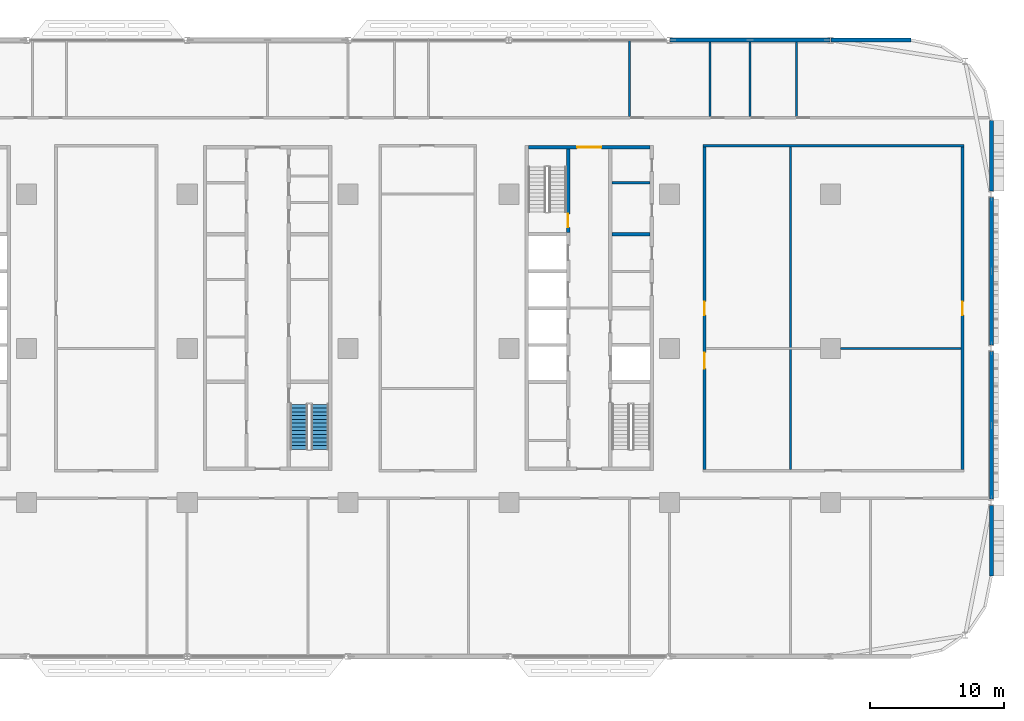
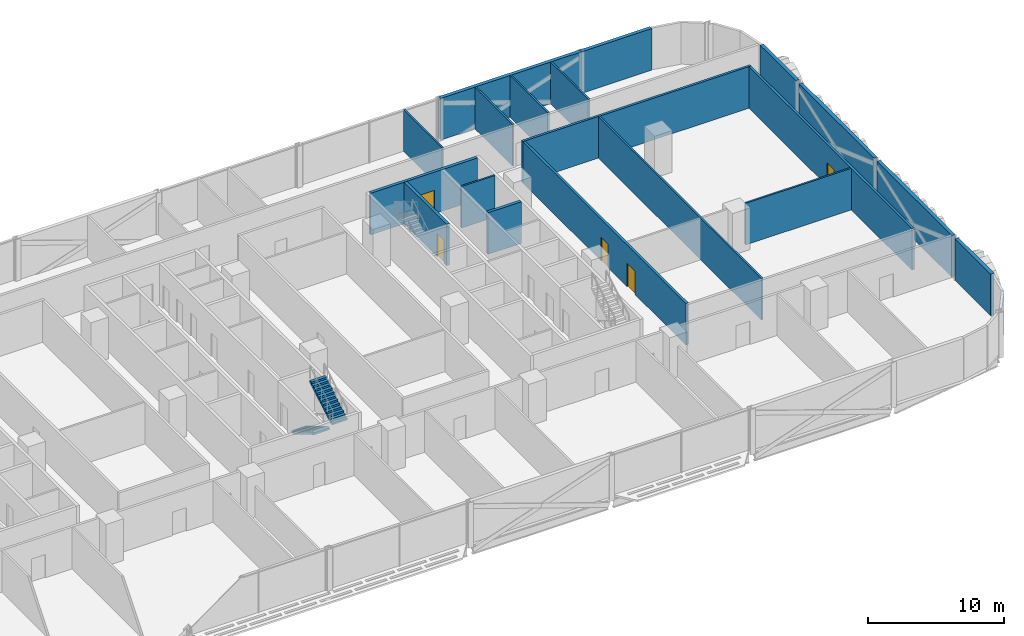
# One storey, part 17 of 29: 19 walls, 5 doors, 2 stair flights, 5 openings, 1 element without a shape of its own.
"""IFC4 building model written with IfcOpenShell, lengths in metres."""

from ifc_helpers import new_model, si_unit, direction, frame, frame_2d, origin, place, context, subcontext, project, spatial, polyline, rectangle, outline, extrude, material, layer, layer_set, type_object, element, fill, aggregate, save


model = new_model("IFC4")

# Units and contexts
model_context = context("Model", 3, precision=1e-05, world=origin(), true_north=direction((0.0, 1.0)))
body_context = subcontext(model_context, "Body", "Model", "MODEL_VIEW")
ifc_project = project(units=[si_unit("LENGTHUNIT", "METRE"), si_unit("AREAUNIT", "SQUARE_METRE"), si_unit("VOLUMEUNIT", "CUBIC_METRE"), si_unit("PLANEANGLEUNIT", "RADIAN"), si_unit("MASSUNIT", "GRAM", prefix="KILO")], contexts=[model_context])

# Site, building, storey
site_placement = place(None, origin())
site = spatial("IfcSite", under=ifc_project, at=site_placement, CompositionType="ELEMENT")
building_placement = place(site_placement, origin())
building = spatial("IfcBuilding", under=site, at=building_placement, Name="Mahtab Terrace Research Tower", CompositionType="ELEMENT")
storey_placement = place(building_placement, frame((0.0, 0.0, 76.10009765625)))
storey = spatial("IfcBuildingStorey", under=building, at=storey_placement, Name="L17", CompositionType="ELEMENT", Elevation=76.10009765625)

# Wall
ifc_material_1 = material(Name="Gypsum board partition")
ifc_layer_1 = layer(ifc_material_1, 0.14990234375)
ifc_layer_set_1 = layer_set([ifc_layer_1], Name="Core partition 150")
wall_type_1 = type_object("IfcWallType", Name="Core partition 150", PredefinedType="PARTITIONING", material=ifc_layer_set_1)
wall_1_placement = place(storey_placement, frame((25.699951171875, 12.35498046875, 0.0), z_axis=(0.0, 0.0, 1.0), x_axis=(1.0, 0.0, 0.0)))
element("IfcWall", 1, at=wall_1_placement, inside=storey, type_object=wall_type_1, Name="Core wall C pEN936", PredefinedType="PARTITIONING", context=body_context, shape_type="SweptSolid", body=[
    extrude(rectangle(XDim=2.85009765625, YDim=0.14990234375, at=frame_2d((1.425048828125, 0.0))), origin(), (0.0, 0.0, 1.0), 3.75),
])

# Wall, opening, door
ifc_material_2 = material(Name="Concrete C70/85", Category="concrete")
ifc_layer_2 = layer(ifc_material_2, 0.25)
ifc_layer_set_2 = layer_set([ifc_layer_2], Name="Core wall 250")
wall_type_2 = type_object("IfcWallType", Name="Core wall 250", PredefinedType="SOLIDWALL", material=ifc_layer_set_2)
wall_2_placement = place(storey_placement, frame((19.449951171875, 15.0, 0.0), z_axis=(0.0, 0.0, 1.0), x_axis=(1.0, 0.0, 0.0)))
wall_2 = element("IfcWall", 2, at=wall_2_placement, inside=storey, type_object=wall_type_2, Name="Core wall C endN", PredefinedType="SOLIDWALL", context=body_context, shape_type="SweptSolid", body=[
    extrude(rectangle(XDim=9.10009765625, YDim=0.25, at=frame_2d((4.550048828125, 0.0))), origin(), (0.0, 0.0, 1.0), 3.75),
])
opening_1_placement = place(wall_2_placement, frame((3.64990234375, 0.0, 0.0)))
opening_1 = element("IfcOpeningElement", 3, at=opening_1_placement, cuts=wall_2, Name="Opening C-N1", PredefinedType="OPENING", context=body_context, shape_type="SweptSolid", body=[
    extrude(rectangle(XDim=1.800048828125, YDim=2.10009765625, at=frame_2d((0.89990234375, 1.050048828125))), frame((0.0, 0.135009765625, 0.0), z_axis=(0.0, -1.0, 0.0), x_axis=(1.0, 0.0, 0.0)), (0.0, 0.0, 1.0), 0.27001953125),
])
ifc_material_3 = material(Name="Steel fire door", Category="steel")
door_type_1 = type_object("IfcDoorType", Name="Lobby double door 1800x2100 1 HR", OperationType="DOUBLE_DOOR_SINGLE_SWING", PredefinedType="DOOR", material=ifc_material_3)
door_1_placement = place(opening_1_placement, origin())
door_1 = element("IfcDoor", 4, at=door_1_placement, inside=storey, type_object=door_type_1, Name="Core entrance door C N", OperationType="DOUBLE_DOOR_SINGLE_SWING", OverallHeight=2.10009765625, OverallWidth=1.800048828125, PredefinedType="DOOR", context=body_context, shape_type="SweptSolid", body=[
    extrude(rectangle(XDim=1.800048828125, YDim=2.10009765625, at=frame_2d((0.89990234375, 1.050048828125))), frame((0.0, 0.02490234375, 0.0), z_axis=(0.0, -1.0, 0.0), x_axis=(1.0, 0.0, 0.0)), (0.0, 0.0, 1.0), 0.050048828125),
])
fill(opening_1, door_1)

wall_3_placement = place(storey_placement, frame((22.425048828125, 14.875, 0.0), z_axis=(0.0, 0.0, 1.0), x_axis=(0.0, -1.0, 0.0)))
wall_3 = element("IfcWall", 5, at=wall_3_placement, inside=storey, type_object=wall_type_2, Name="Core wall C innerWN", PredefinedType="SOLIDWALL", context=body_context, shape_type="SweptSolid", body=[
    extrude(rectangle(XDim=6.25, YDim=0.25, at=frame_2d((3.125, 0.0))), origin(), (0.0, 0.0, 1.0), 3.75),
])
opening_2_placement = place(wall_3_placement, frame((4.85009765625, 0.0, 0.0)))
opening_2 = element("IfcOpeningElement", 6, at=opening_2_placement, cuts=wall_3, Name="Opening C-ST3", PredefinedType="OPENING", context=body_context, shape_type="SweptSolid", body=[
    extrude(rectangle(XDim=1.0, YDim=2.10009765625, at=frame_2d((0.5, 1.050048828125))), frame((0.0, 0.135009765625, 0.0), z_axis=(0.0, -1.0, 0.0), x_axis=(1.0, 0.0, 0.0)), (0.0, 0.0, 1.0), 0.27001953125),
])
door_type_2 = type_object("IfcDoorType", Name="Stair door 1000x2100 1.5 HR", OperationType="NOTDEFINED", PredefinedType="DOOR", material=ifc_material_3)
door_2_placement = place(opening_2_placement, origin())
door_2 = element("IfcDoor", 7, at=door_2_placement, inside=storey, type_object=door_type_2, Name="Stair door ST3 L17", OperationType="SINGLE_SWING_RIGHT", OverallHeight=2.10009765625, OverallWidth=1.0, PredefinedType="DOOR", context=body_context, shape_type="SweptSolid", body=[
    extrude(rectangle(XDim=1.0, YDim=2.10009765625, at=frame_2d((0.5, 1.050048828125))), frame((0.0, 0.02490234375, 0.0), z_axis=(0.0, -1.0, 0.0), x_axis=(1.0, 0.0, 0.0)), (0.0, 0.0, 1.0), 0.050048828125),
])
fill(opening_2, door_2)

# Walls
wall_4_placement = place(storey_placement, frame((25.699951171875, 8.5, 0.0), z_axis=(0.0, 0.0, 1.0), x_axis=(1.0, 0.0, 0.0)))
element("IfcWall", 8, at=wall_4_placement, inside=storey, type_object=wall_type_2, Name="Core wall C divE4", PredefinedType="SOLIDWALL", context=body_context, shape_type="SweptSolid", body=[
    extrude(rectangle(XDim=2.85009765625, YDim=0.25, at=frame_2d((1.425048828125, 0.0))), origin(), (0.0, 0.0, 1.0), 3.75),
])
ifc_material_4 = material(Name="Black aluminium cladding panel", Category="aluminium")
ifc_layer_3 = layer(ifc_material_4, 0.300048828125)
ifc_layer_set_3 = layer_set([ifc_layer_3], Name="Opaque facade wall 300")
wall_type_3 = type_object("IfcWallType", Name="Opaque facade wall 300", PredefinedType="NOTDEFINED", material=ifc_layer_set_3)
wall_5_placement = place(storey_placement, frame((48.0, 23.0, 0.0), z_axis=(0.0, 0.0, 1.0), x_axis=(-1.0, 0.0, 0.0)))
element("IfcWall", 9, at=wall_5_placement, inside=storey, type_object=wall_type_3, Name="Opaque facade wall L17 N3", PredefinedType="NOTDEFINED", context=body_context, shape_type="SweptSolid", body=[
    extrude(rectangle(XDim=5.97607421875, YDim=0.300048828125, at=frame_2d((2.988037109375, 0.0))), origin(), (0.0, 0.0, 1.0), 3.75),
])
wall_6_placement = place(storey_placement, frame((41.97607421875, 23.0, 0.0), z_axis=(0.0, 0.0, 1.0), x_axis=(-1.0, 0.0, 0.0)))
element("IfcWall", 10, at=wall_6_placement, inside=storey, type_object=wall_type_3, Name="Opaque facade wall L17 N4", PredefinedType="NOTDEFINED", context=body_context, shape_type="SweptSolid", body=[
    extrude(rectangle(XDim=11.9521484375, YDim=0.300048828125, at=frame_2d((5.97607421875, 0.0))), origin(), (0.0, 0.0, 1.0), 3.75),
])
wall_7_placement = place(storey_placement, frame((54.0, -17.0, 0.0), z_axis=(0.0, 0.0, 1.0), x_axis=(0.0, 1.0, 0.0)))
element("IfcWall", 11, at=wall_7_placement, inside=storey, type_object=wall_type_3, Name="Opaque facade wall L17 E35", PredefinedType="NOTDEFINED", context=body_context, shape_type="SweptSolid", body=[
    extrude(rectangle(XDim=5.261962890625, YDim=0.300048828125, at=frame_2d((2.630859375, 0.0))), origin(), (0.0, 0.0, 1.0), 3.75),
])
for number, where, z_axis, x_axis, name in (
    (12, (54.0, -11.261962890625, 0.0), (0.0, 0.0, 1.0), (0.0, 1.0, 0.0), "Opaque facade wall L17 E36"),
    (13, (54.0, 0.238037109375, 0.0), (0.0, 0.0, 1.0), (0.0, 1.0, 0.0), "Opaque facade wall L17 E37"),
):
    element("IfcWall", number, at=place(storey_placement, frame(where, z_axis=z_axis, x_axis=x_axis)), inside=storey, type_object=wall_type_3, Name=name, PredefinedType="NOTDEFINED", context=body_context, shape_type="SweptSolid", body=[
        extrude(rectangle(XDim=11.02392578125, YDim=0.300048828125, at=frame_2d((5.511962890625, 0.0))), origin(), (0.0, 0.0, 1.0), 3.75),
    ])
wall_8_placement = place(storey_placement, frame((54.0, 11.738037109375, 0.0), z_axis=(0.0, 0.0, 1.0), x_axis=(0.0, 1.0, 0.0)))
element("IfcWall", 14, at=wall_8_placement, inside=storey, type_object=wall_type_3, Name="Opaque facade wall L17 E38", PredefinedType="NOTDEFINED", context=body_context, shape_type="SweptSolid", body=[
    extrude(rectangle(XDim=5.261962890625, YDim=0.300048828125, at=frame_2d((2.630859375, 0.0))), origin(), (0.0, 0.0, 1.0), 3.75),
])
ifc_material_5 = material(Name="Gypsum board corridor wall on steel studs", Category="steel")
ifc_layer_4 = layer(ifc_material_5, 0.199951171875)
ifc_layer_set_4 = layer_set([ifc_layer_4], Name="WALL CORRIDOR 200")
wall_type_4 = type_object("IfcWallType", Name="WALL CORRIDOR 200", PredefinedType="PARTITIONING", material=ifc_layer_set_4)
wall_9_placement = place(storey_placement, frame((32.5, 15.125, 0.0), z_axis=(0.0, 0.0, 1.0), x_axis=(1.0, 0.0, 0.0)))
element("IfcWall", 15, at=wall_9_placement, inside=storey, type_object=wall_type_4, Name="L17-W023", PredefinedType="PARTITIONING", context=body_context, shape_type="SweptSolid", body=[
    extrude(rectangle(XDim=19.449951171875, YDim=0.199951171875, at=frame_2d((9.72509765625, 0.0))), origin(), (0.0, 0.0, 1.0), 3.75),
])

# Wall, openings, doors
wall_10_placement = place(storey_placement, frame((32.60009765625, -9.02490234375, 0.0), z_axis=(0.0, 0.0, 1.0), x_axis=(0.0, 1.0, 0.0)))
wall_10 = element("IfcWall", 16, at=wall_10_placement, inside=storey, type_object=wall_type_4, Name="L17-W050", PredefinedType="PARTITIONING", context=body_context, shape_type="SweptSolid", body=[
    extrude(rectangle(XDim=24.0498046875, YDim=0.199951171875, at=frame_2d((12.02490234375, 0.0))), origin(), (0.0, 0.0, 1.0), 3.75),
])
opening_3_placement = place(wall_10_placement, frame((7.5, 0.0, 0.0)))
opening_3 = element("IfcOpeningElement", 17, at=opening_3_placement, cuts=wall_10, Name="Opening L17-117", PredefinedType="OPENING", context=body_context, shape_type="SweptSolid", body=[
    extrude(rectangle(XDim=1.199951171875, YDim=2.10009765625, at=frame_2d((0.60009765625, 1.050048828125))), frame((0.0, 0.10986328125, 0.0), z_axis=(0.0, -1.0, 0.0), x_axis=(1.0, 0.0, 0.0)), (0.0, 0.0, 1.0), 0.219970703125),
])
opening_4_placement = place(wall_10_placement, frame((11.5, 0.0, 0.0)))
opening_4 = element("IfcOpeningElement", 18, at=opening_4_placement, cuts=wall_10, Name="Opening L17-122", PredefinedType="OPENING", context=body_context, shape_type="SweptSolid", body=[
    extrude(rectangle(XDim=1.0, YDim=2.10009765625, at=frame_2d((0.5, 1.050048828125))), frame((0.0, 0.10986328125, 0.0), z_axis=(0.0, -1.0, 0.0), x_axis=(1.0, 0.0, 0.0)), (0.0, 0.0, 1.0), 0.219970703125),
])
ifc_material_6 = material(Name="Timber door leaf in steel frame", Category="steel")
door_type_3 = type_object("IfcDoorType", Name="DOOR 1000X2100 FD30S", OperationType="SINGLE_SWING_LEFT", PredefinedType="DOOR", material=ifc_material_6)
door_3_placement = place(opening_4_placement, origin())
door_3 = element("IfcDoor", 19, at=door_3_placement, inside=storey, type_object=door_type_3, Name="Door L17-122", OperationType="SINGLE_SWING_RIGHT", OverallHeight=2.10009765625, OverallWidth=1.0, PredefinedType="DOOR", context=body_context, shape_type="SweptSolid", body=[
    extrude(rectangle(XDim=1.0, YDim=2.10009765625, at=frame_2d((0.5, 1.050048828125))), frame((0.0, 0.02490234375, 0.0), z_axis=(0.0, -1.0, 0.0), x_axis=(1.0, 0.0, 0.0)), (0.0, 0.0, 1.0), 0.050048828125),
])
fill(opening_4, door_3)
door_type_4 = type_object("IfcDoorType", Name="DOOR 1200X2100 FD30S", OperationType="SINGLE_SWING_LEFT", PredefinedType="DOOR", material=ifc_material_6)
door_4_placement = place(opening_3_placement, origin())
door_4 = element("IfcDoor", 20, at=door_4_placement, inside=storey, type_object=door_type_4, Name="Door L17-117", OperationType="SINGLE_SWING_RIGHT", OverallHeight=2.10009765625, OverallWidth=1.199951171875, PredefinedType="DOOR", context=body_context, shape_type="SweptSolid", body=[
    extrude(rectangle(XDim=1.199951171875, YDim=2.10009765625, at=frame_2d((0.60009765625, 1.050048828125))), frame((0.0, 0.02490234375, 0.0), z_axis=(0.0, -1.0, 0.0), x_axis=(1.0, 0.0, 0.0)), (0.0, 0.0, 1.0), 0.050048828125),
])
fill(opening_3, door_4)

# Wall, opening, door
wall_11_placement = place(storey_placement, frame((51.85009765625, -9.02490234375, 0.0), z_axis=(0.0, 0.0, 1.0), x_axis=(0.0, 1.0, 0.0)))
wall_11 = element("IfcWall", 21, at=wall_11_placement, inside=storey, type_object=wall_type_4, Name="L17-W057", PredefinedType="PARTITIONING", context=body_context, shape_type="SweptSolid", body=[
    extrude(rectangle(XDim=24.0498046875, YDim=0.199951171875, at=frame_2d((12.02490234375, 0.0))), origin(), (0.0, 0.0, 1.0), 3.75),
])
opening_5_placement = place(wall_11_placement, frame((11.5, 0.0, 0.0)))
opening_5 = element("IfcOpeningElement", 22, at=opening_5_placement, cuts=wall_11, Name="Opening L17-123", PredefinedType="OPENING", context=body_context, shape_type="SweptSolid", body=[
    extrude(rectangle(XDim=1.0, YDim=2.10009765625, at=frame_2d((0.5, 1.050048828125))), frame((0.0, 0.10986328125, 0.0), z_axis=(0.0, -1.0, 0.0), x_axis=(1.0, 0.0, 0.0)), (0.0, 0.0, 1.0), 0.219970703125),
])
door_5_placement = place(opening_5_placement, origin())
door_5 = element("IfcDoor", 23, at=door_5_placement, inside=storey, type_object=door_type_3, Name="Door L17-123", OperationType="SINGLE_SWING_LEFT", OverallHeight=2.10009765625, OverallWidth=1.0, PredefinedType="DOOR", context=body_context, shape_type="SweptSolid", body=[
    extrude(rectangle(XDim=1.0, YDim=2.10009765625, at=frame_2d((0.5, 1.050048828125))), frame((0.0, 0.02490234375, 0.0), z_axis=(0.0, -1.0, 0.0), x_axis=(1.0, 0.0, 0.0)), (0.0, 0.0, 1.0), 0.050048828125),
])
fill(opening_5, door_5)

# Walls
ifc_material_7 = material(Name="Gypsum board partition on steel studs", Category="steel")
ifc_layer_5 = layer(ifc_material_7, 0.14990234375)
ifc_layer_set_5 = layer_set([ifc_layer_5], Name="WALL PARTITION 150")
wall_type_5 = type_object("IfcWallType", Name="WALL PARTITION 150", PredefinedType="PARTITIONING", material=ifc_layer_set_5)
wall_12_placement = place(storey_placement, frame((42.75, 0.0, 0.0), z_axis=(0.0, 0.0, 1.0), x_axis=(1.0, 0.0, 0.0)))
element("IfcWall", 24, at=wall_12_placement, inside=storey, type_object=wall_type_5, Name="L17-W017", PredefinedType="PARTITIONING", context=body_context, shape_type="SweptSolid", body=[
    extrude(rectangle(XDim=9.0, YDim=0.14990234375, at=frame_2d((4.5, 0.0))), origin(), (0.0, 0.0, 1.0), 3.75),
])
wall_13_placement = place(storey_placement, frame((27.0, 17.300048828125, 0.0), z_axis=(0.0, 0.0, 1.0), x_axis=(0.0, 1.0, 0.0)))
element("IfcWall", 25, at=wall_13_placement, inside=storey, type_object=wall_type_5, Name="L17-W048", PredefinedType="PARTITIONING", context=body_context, shape_type="SweptSolid", body=[
    extrude(rectangle(XDim=5.675048828125, YDim=0.14990234375, at=frame_2d((2.83740234375, 0.0))), origin(), (0.0, 0.0, 1.0), 3.75),
])
for number, where, z_axis, x_axis, name in (
    (26, (33.0, 17.300048828125, 0.0), (0.0, 0.0, 1.0), (0.0, 1.0, 0.0), "L17-W051"),
    (27, (36.0, 17.300048828125, 0.0), (0.0, 0.0, 1.0), (0.0, 1.0, 0.0), "L17-W052"),
):
    element("IfcWall", number, at=place(storey_placement, frame(where, z_axis=z_axis, x_axis=x_axis)), inside=storey, type_object=wall_type_5, Name=name, PredefinedType="PARTITIONING", context=body_context, shape_type="SweptSolid", body=[
        extrude(rectangle(XDim=5.550048828125, YDim=0.14990234375, at=frame_2d((2.77490234375, 0.0))), origin(), (0.0, 0.0, 1.0), 3.75),
    ])
wall_14_placement = place(storey_placement, frame((39.0, -9.02490234375, 0.0), z_axis=(0.0, 0.0, 1.0), x_axis=(0.0, 1.0, 0.0)))
element("IfcWall", 28, at=wall_14_placement, inside=storey, type_object=wall_type_5, Name="L17-W054", PredefinedType="PARTITIONING", context=body_context, shape_type="SweptSolid", body=[
    extrude(rectangle(XDim=24.0498046875, YDim=0.14990234375, at=frame_2d((12.02490234375, 0.0))), origin(), (0.0, 0.0, 1.0), 3.75),
])
wall_15_placement = place(storey_placement, frame((39.449951171875, 17.300048828125, 0.0), z_axis=(0.0, 0.0, 1.0), x_axis=(0.0, 1.0, 0.0)))
element("IfcWall", 29, at=wall_15_placement, inside=storey, type_object=wall_type_5, Name="L17-W055", PredefinedType="PARTITIONING", context=body_context, shape_type="SweptSolid", body=[
    extrude(rectangle(XDim=5.550048828125, YDim=0.14990234375, at=frame_2d((2.77490234375, 0.0))), origin(), (0.0, 0.0, 1.0), 3.75),
])

# Stair, stair flights
ifc_material_8 = material(Name="Exit stair half-turn")
stair_type = type_object("IfcStairType", Name="Exit stair half-turn", PredefinedType="HALF_TURN_STAIR", material=ifc_material_8)
stair_placement = place(storey_placement, origin())
stair = element("IfcStair", 30, at=stair_placement, inside=storey, type_object=stair_type, Name="L17 Protected exit stair ST2", PredefinedType="HALF_TURN_STAIR")
ifc_material_9 = material(Name="Concrete C40/50", Category="concrete")
stair_flight_type = type_object("IfcStairFlightType", Name="Exit stair flight 1300", PredefinedType="STRAIGHT", material=ifc_material_9)
stair_flight_1_placement = place(storey_placement, frame((2.35009765625, -4.175048828125, 0.0), z_axis=(0.0, 0.0, 1.0), x_axis=(0.0, -1.0, 0.0)))
stair_flight_1 = element("IfcStairFlight", 31, at=stair_flight_1_placement, type_object=stair_flight_type, Name="ST2 flight 1", NumberOfRisers=13, NumberOfTreads=12, PredefinedType="STRAIGHT", RiserHeight=0.165384615, TreadLength=0.28, context=body_context, shape_type="SweptSolid", body=[
    extrude(outline(polyline([(0.0, 0.0), (0.0, 0.165283203125), (0.280029296875, 0.165283203125), (0.280029296875, 0.330810546875), (0.56005859375, 0.330810546875), (0.56005859375, 0.49609375), (0.840087890625, 0.49609375), (0.840087890625, 0.66162109375), (1.1201171875, 0.66162109375), (1.1201171875, 0.826904296875), (1.39990234375, 0.826904296875), (1.39990234375, 0.9921875), (1.679931640625, 0.9921875), (1.679931640625, 1.15771484375), (1.9599609375, 1.15771484375), (1.9599609375, 1.322998046875), (2.239990234375, 1.322998046875), (2.239990234375, 1.488525390625), (2.52001953125, 1.488525390625), (2.52001953125, 1.65380859375), (2.800048828125, 1.65380859375), (2.800048828125, 1.8193359375), (3.080078125, 1.8193359375), (3.080078125, 1.984619140625), (3.360107421875, 1.984619140625), (3.360107421875, 2.14990234375), (3.360107421875, 1.810546875), (0.294677734375, 0.0), (0.0, 0.0)])), frame((0.0, 0.64990234375, 0.0), z_axis=(0.0, -1.0, 0.0), x_axis=(1.0, 0.0, 0.0)), (0.0, 0.0, 1.0), 1.300048828125),
])
stair_flight_2_placement = place(storey_placement, frame((3.89990234375, -7.534912109375, 2.14990234375), z_axis=(0.0, 0.0, 1.0), x_axis=(0.0, 1.0, 0.0)))
stair_flight_2 = element("IfcStairFlight", 32, at=stair_flight_2_placement, type_object=stair_flight_type, Name="ST2 flight 2", NumberOfRisers=13, NumberOfTreads=12, PredefinedType="STRAIGHT", RiserHeight=0.165384615, TreadLength=0.28, context=body_context, shape_type="SweptSolid", body=[
    extrude(outline(polyline([(0.0, 0.0), (0.0, 0.165283203125), (0.280029296875, 0.165283203125), (0.280029296875, 0.330810546875), (0.56005859375, 0.330810546875), (0.56005859375, 0.49609375), (0.840087890625, 0.49609375), (0.840087890625, 0.66162109375), (1.1201171875, 0.66162109375), (1.1201171875, 0.826904296875), (1.39990234375, 0.826904296875), (1.39990234375, 0.9921875), (1.679931640625, 0.9921875), (1.679931640625, 1.15771484375), (1.9599609375, 1.15771484375), (1.9599609375, 1.322998046875), (2.239990234375, 1.322998046875), (2.239990234375, 1.488525390625), (2.52001953125, 1.488525390625), (2.52001953125, 1.65380859375), (2.800048828125, 1.65380859375), (2.800048828125, 1.8193359375), (3.080078125, 1.8193359375), (3.080078125, 1.984619140625), (3.360107421875, 1.984619140625), (3.360107421875, 2.14990234375), (3.360107421875, 1.810546875), (0.294677734375, 0.0), (0.0, 0.0)])), frame((0.0, 0.64990234375, 0.0), z_axis=(0.0, -1.0, 0.0), x_axis=(1.0, 0.0, 0.0)), (0.0, 0.0, 1.0), 1.300048828125),
])
aggregate(stair, [stair_flight_1, stair_flight_2])

save(model, "model.ifc")
